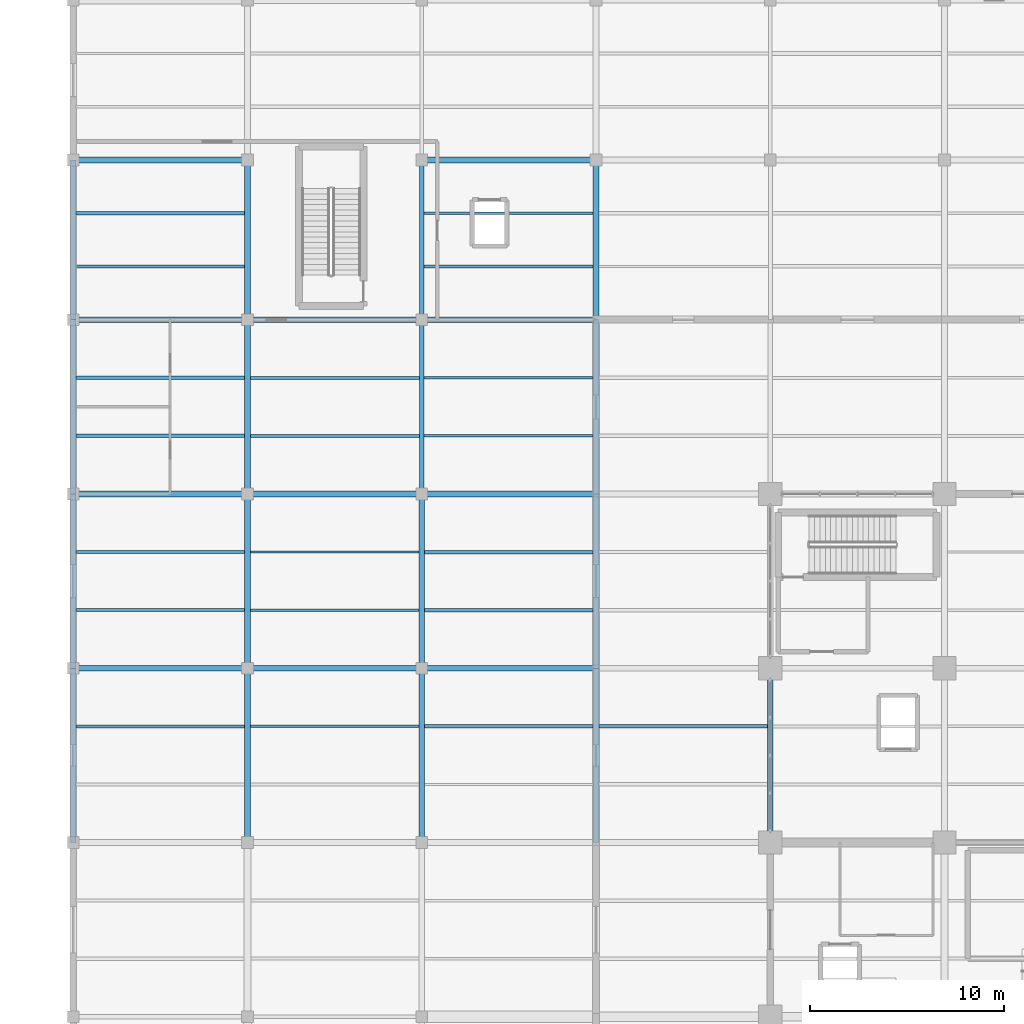
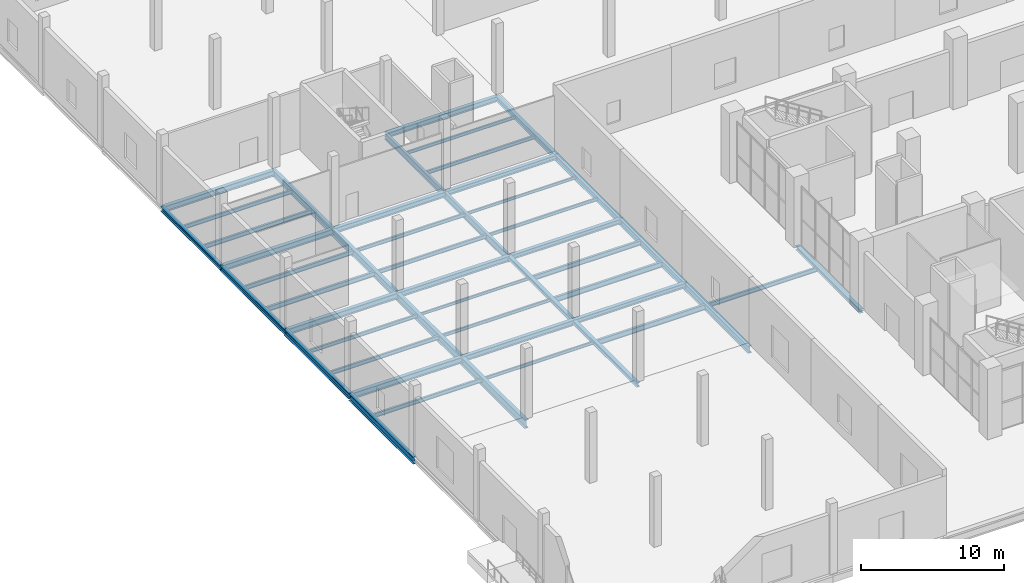
# One storey, part 54 of 144: 48 beams.
"""IFC4 building model written with IfcOpenShell, lengths in metres."""

from ifc_helpers import new_model, si_unit, direction, frame, origin, origin_2d, place, context, subcontext, project, spatial, i_section, extrude, material, material_profile, profile_set, type_object, element, save


model = new_model("IFC4")

# Units and contexts
model_context = context("Model", 3, precision=1e-05, world=origin(), true_north=direction((0.0, 1.0)))
body_context = subcontext(model_context, "Body", "Model", "MODEL_VIEW")
ifc_project = project(units=[si_unit("LENGTHUNIT", "METRE"), si_unit("AREAUNIT", "SQUARE_METRE"), si_unit("VOLUMEUNIT", "CUBIC_METRE"), si_unit("PLANEANGLEUNIT", "RADIAN"), si_unit("MASSUNIT", "GRAM", prefix="KILO")], contexts=[model_context])

# Site, building, storey
site_placement = place(None, origin())
site = spatial("IfcSite", under=ifc_project, at=site_placement, CompositionType="ELEMENT")
building_placement = place(site_placement, origin())
building = spatial("IfcBuilding", under=site, at=building_placement, Name="Sundgate Opera House", CompositionType="ELEMENT")
storey_placement = place(building_placement, origin())
storey = spatial("IfcBuildingStorey", under=building, at=storey_placement, Name="L00", CompositionType="ELEMENT", Elevation=0.0)

# Beams
ifc_material_1 = material(Name="Steel S355J2", Category="steel")
ifc_material_profile_1 = material_profile(ifc_material_1, i_section(OverallWidth=0.300048828125, OverallDepth=0.330078125, WebThickness=0.009521484375, FlangeThickness=0.0166015625, at=origin_2d()), Name="HEA 340")
ifc_profile_set_1 = profile_set([ifc_material_profile_1], Name="Steel S355J2")
beam_type_1 = type_object("IfcBeamType", Name="BM-GR-HEA340", PredefinedType="BEAM", material=ifc_profile_set_1)
beam_1_placement = place(storey_placement, frame((18.0, 69.0, -0.485107421875), z_axis=(0.0, 1.0, 0.0), x_axis=(-1.0, 0.0, 0.0)))
element("IfcBeam", 1, at=beam_1_placement, inside=storey, type_object=beam_type_1, Name="L00 Primary N-S Girder B0094", PredefinedType="BEAM", context=body_context, shape_type="SweptSolid", body=[
    extrude(i_section(OverallWidth=0.300048828125, OverallDepth=0.330078125, WebThickness=0.009521484375, FlangeThickness=0.0166015625, at=origin_2d()), origin(), (0.0, 0.0, 1.0), 9.0),
])
ifc_material_2 = material(Name="Steel S355J2", Category="steel")
ifc_material_profile_2 = material_profile(ifc_material_2, i_section(OverallWidth=0.300048828125, OverallDepth=0.35009765625, WebThickness=0.010009765625, FlangeThickness=0.017578125, at=origin_2d()), Name="HEA 360")
ifc_profile_set_2 = profile_set([ifc_material_profile_2], Name="Steel S355J2")
beam_type_2 = type_object("IfcBeamType", Name="BM-GR-HEA360", PredefinedType="BEAM", material=ifc_profile_set_2)
for number, where, z_axis, x_axis, name in (
    (2, (18.0, 60.0, -0.4951171875), (0.0, 1.0, 0.0), (-1.0, 0.0, 0.0), "L00 Primary N-S Girder B0093"),
    (3, (36.0, 60.0, -0.4951171875), (0.0, 1.0, 0.0), (-1.0, 0.0, 0.0), "L00 Primary N-S Girder B0115"),
):
    element("IfcBeam", number, at=place(storey_placement, frame(where, z_axis=z_axis, x_axis=x_axis)), inside=storey, type_object=beam_type_2, Name=name, PredefinedType="BEAM", context=body_context, shape_type="SweptSolid", body=[
        extrude(i_section(OverallWidth=0.300048828125, OverallDepth=0.35009765625, WebThickness=0.010009765625, FlangeThickness=0.017578125, at=origin_2d()), origin(), (0.0, 0.0, 1.0), 9.0),
    ])
ifc_material_3 = material(Name="Steel S355J2", Category="steel")
ifc_material_profile_3 = material_profile(ifc_material_3, i_section(OverallWidth=0.300048828125, OverallDepth=0.389892578125, WebThickness=0.010986328125, FlangeThickness=0.01904296875, at=origin_2d()), Name="HEA 400")
ifc_profile_set_3 = profile_set([ifc_material_profile_3], Name="Steel S355J2")
beam_type_3 = type_object("IfcBeamType", Name="BM-GR-HEA400", PredefinedType="BEAM", material=ifc_profile_set_3)
beam_2_placement = place(storey_placement, frame((0.0, 87.0, -0.514892578125), z_axis=(0.0, 1.0, 0.0), x_axis=(-1.0, 0.0, 0.0)))
element("IfcBeam", 4, at=beam_2_placement, inside=storey, type_object=beam_type_3, Name="L00 Primary N-S Girder B0070", PredefinedType="BEAM", context=body_context, shape_type="SweptSolid", body=[
    extrude(i_section(OverallWidth=0.300048828125, OverallDepth=0.389892578125, WebThickness=0.010986328125, FlangeThickness=0.01904296875, at=origin_2d()), origin(), (0.0, 0.0, 1.0), 8.25),
])
ifc_material_4 = material(Name="Steel S355J2", Category="steel")
ifc_material_profile_4 = material_profile(ifc_material_4, i_section(OverallWidth=0.300048828125, OverallDepth=0.43994140625, WebThickness=0.011474609375, FlangeThickness=0.02099609375, at=origin_2d()), Name="HEA 450")
ifc_profile_set_4 = profile_set([ifc_material_profile_4], Name="Steel S355J2")
beam_type_4 = type_object("IfcBeamType", Name="BM-GR-HEA450", PredefinedType="BEAM", material=ifc_profile_set_4)
beam_3_placement = place(storey_placement, frame((0.0, 78.0, -0.5400390625), z_axis=(0.0, 1.0, 0.0), x_axis=(-1.0, 0.0, 0.0)))
element("IfcBeam", 5, at=beam_3_placement, inside=storey, type_object=beam_type_4, Name="L00 Primary N-S Girder B0069", PredefinedType="BEAM", context=body_context, shape_type="SweptSolid", body=[
    extrude(i_section(OverallWidth=0.300048828125, OverallDepth=0.43994140625, WebThickness=0.011474609375, FlangeThickness=0.02099609375, at=origin_2d()), origin(), (0.0, 0.0, 1.0), 9.0),
])
ifc_material_5 = material(Name="Steel S355J2", Category="steel")
ifc_material_profile_5 = material_profile(ifc_material_5, i_section(OverallWidth=0.300048828125, OverallDepth=0.489990234375, WebThickness=0.011962890625, FlangeThickness=0.02294921875, at=origin_2d()), Name="HEA 500")
ifc_profile_set_5 = profile_set([ifc_material_profile_5], Name="Steel S355J2")
beam_type_5 = type_object("IfcBeamType", Name="BM-GR-HEA500", PredefinedType="BEAM", material=ifc_profile_set_5)
beam_4_placement = place(storey_placement, frame((0.0, 69.0, -0.56494140625), z_axis=(0.0, 1.0, 0.0), x_axis=(-1.0, 0.0, 0.0)))
element("IfcBeam", 6, at=beam_4_placement, inside=storey, type_object=beam_type_5, Name="L00 Primary N-S Girder B0068", PredefinedType="BEAM", context=body_context, shape_type="SweptSolid", body=[
    extrude(i_section(OverallWidth=0.300048828125, OverallDepth=0.489990234375, WebThickness=0.011962890625, FlangeThickness=0.02294921875, at=origin_2d()), origin(), (0.0, 0.0, 1.0), 9.0),
])
ifc_material_6 = material(Name="Steel S355J2", Category="steel")
ifc_material_profile_6 = material_profile(ifc_material_6, i_section(OverallWidth=0.300048828125, OverallDepth=0.590087890625, WebThickness=0.012939453125, FlangeThickness=0.02490234375, at=origin_2d()), Name="HEA 600")
ifc_profile_set_6 = profile_set([ifc_material_profile_6], Name="Steel S355J2")
beam_type_6 = type_object("IfcBeamType", Name="BM-GR-HEA600", PredefinedType="BEAM", material=ifc_profile_set_6)
beam_5_placement = place(storey_placement, frame((0.0, 60.0, -0.614990234375), z_axis=(0.0, 1.0, 0.0), x_axis=(-1.0, 0.0, 0.0)))
element("IfcBeam", 7, at=beam_5_placement, inside=storey, type_object=beam_type_6, Name="L00 Primary N-S Girder B0067", PredefinedType="BEAM", context=body_context, shape_type="SweptSolid", body=[
    extrude(i_section(OverallWidth=0.300048828125, OverallDepth=0.590087890625, WebThickness=0.012939453125, FlangeThickness=0.02490234375, at=origin_2d()), origin(), (0.0, 0.0, 1.0), 9.0),
])
ifc_material_7 = material(Name="Steel S355J2", Category="steel")
ifc_material_profile_7 = material_profile(ifc_material_7, i_section(OverallWidth=0.300048828125, OverallDepth=0.39990234375, WebThickness=0.013427734375, FlangeThickness=0.02392578125, at=origin_2d()), Name="HEB 400")
ifc_profile_set_7 = profile_set([ifc_material_profile_7], Name="Steel S355J2")
beam_type_7 = type_object("IfcBeamType", Name="BM-GR-HEB400", PredefinedType="BEAM", material=ifc_profile_set_7)
for number, where, z_axis, x_axis, name in (
    (8, (18.0, 69.0, -0.52001953125), (1.0, 0.0, 0.0), (0.0, 1.0, 0.0), "L00 Primary E-W Girder B0460"),
    (9, (18.0, 78.0, -0.52001953125), (1.0, 0.0, 0.0), (0.0, 1.0, 0.0), "L00 Primary E-W Girder B0482"),
    (10, (18.0, 87.0, -0.52001953125), (1.0, 0.0, 0.0), (0.0, 1.0, 0.0), "L00 Primary E-W Girder B0504"),
):
    element("IfcBeam", number, at=place(storey_placement, frame(where, z_axis=z_axis, x_axis=x_axis)), inside=storey, type_object=beam_type_7, Name=name, PredefinedType="BEAM", context=body_context, shape_type="SweptSolid", body=[
        extrude(i_section(OverallWidth=0.300048828125, OverallDepth=0.39990234375, WebThickness=0.013427734375, FlangeThickness=0.02392578125, at=origin_2d()), origin(), (0.0, 0.0, 1.0), 9.0),
    ])
ifc_material_8 = material(Name="Steel S355J2", Category="steel")
ifc_material_profile_8 = material_profile(ifc_material_8, i_section(OverallWidth=0.300048828125, OverallDepth=0.449951171875, WebThickness=0.013916015625, FlangeThickness=0.02587890625, at=origin_2d()), Name="HEB 450")
ifc_profile_set_8 = profile_set([ifc_material_profile_8], Name="Steel S355J2")
beam_type_8 = type_object("IfcBeamType", Name="BM-GR-HEB450", PredefinedType="BEAM", material=ifc_profile_set_8)
beam_6_placement = place(storey_placement, frame((27.0, 87.0, -0.544921875), z_axis=(0.0, 1.0, 0.0), x_axis=(-1.0, 0.0, 0.0)))
element("IfcBeam", 11, at=beam_6_placement, inside=storey, type_object=beam_type_8, Name="L00 Primary N-S Girder B0108", PredefinedType="BEAM", context=body_context, shape_type="SweptSolid", body=[
    extrude(i_section(OverallWidth=0.300048828125, OverallDepth=0.449951171875, WebThickness=0.013916015625, FlangeThickness=0.02587890625, at=origin_2d()), origin(), (0.0, 0.0, 1.0), 8.25),
])
for number, where, z_axis, x_axis, name in (
    (12, (9.0, 69.0, -0.544921875), (1.0, 0.0, 0.0), (0.0, 1.0, 0.0), "L00 Primary E-W Girder B0459"),
    (13, (9.0, 78.0, -0.544921875), (1.0, 0.0, 0.0), (0.0, 1.0, 0.0), "L00 Primary E-W Girder B0481"),
    (14, (9.0, 87.0, -0.544921875), (1.0, 0.0, 0.0), (0.0, 1.0, 0.0), "L00 Primary E-W Girder B0503"),
    (15, (18.0, 95.25, -0.544921875), (1.0, 0.0, 0.0), (0.0, 1.0, 0.0), "L00 Primary E-W Girder B0525"),
):
    element("IfcBeam", number, at=place(storey_placement, frame(where, z_axis=z_axis, x_axis=x_axis)), inside=storey, type_object=beam_type_8, Name=name, PredefinedType="BEAM", context=body_context, shape_type="SweptSolid", body=[
        extrude(i_section(OverallWidth=0.300048828125, OverallDepth=0.449951171875, WebThickness=0.013916015625, FlangeThickness=0.02587890625, at=origin_2d()), origin(), (0.0, 0.0, 1.0), 9.0),
    ])
ifc_material_9 = material(Name="Steel S355J2", Category="steel")
ifc_material_profile_9 = material_profile(ifc_material_9, i_section(OverallWidth=0.300048828125, OverallDepth=0.5, WebThickness=0.014404296875, FlangeThickness=0.028076171875, at=origin_2d()), Name="HEB 500")
ifc_profile_set_9 = profile_set([ifc_material_profile_9], Name="Steel S355J2")
beam_type_9 = type_object("IfcBeamType", Name="BM-GR-HEB500", PredefinedType="BEAM", material=ifc_profile_set_9)
for number, where, z_axis, x_axis, name in (
    (16, (27.0, 78.0, -0.570068359375), (0.0, 1.0, 0.0), (-1.0, 0.0, 0.0), "L00 Primary N-S Girder B0107"),
    (17, (0.0, 69.0, -0.570068359375), (1.0, 0.0, 0.0), (0.0, 1.0, 0.0), "L00 Primary E-W Girder B0458"),
    (18, (0.0, 78.0, -0.570068359375), (1.0, 0.0, 0.0), (0.0, 1.0, 0.0), "L00 Primary E-W Girder B0480"),
    (19, (0.0, 87.0, -0.570068359375), (1.0, 0.0, 0.0), (0.0, 1.0, 0.0), "L00 Primary E-W Girder B0502"),
    (20, (0.0, 95.25, -0.570068359375), (1.0, 0.0, 0.0), (0.0, 1.0, 0.0), "L00 Primary E-W Girder B0524"),
):
    element("IfcBeam", number, at=place(storey_placement, frame(where, z_axis=z_axis, x_axis=x_axis)), inside=storey, type_object=beam_type_9, Name=name, PredefinedType="BEAM", context=body_context, shape_type="SweptSolid", body=[
        extrude(i_section(OverallWidth=0.300048828125, OverallDepth=0.5, WebThickness=0.014404296875, FlangeThickness=0.028076171875, at=origin_2d()), origin(), (0.0, 0.0, 1.0), 9.0),
    ])
ifc_material_10 = material(Name="Steel S355J2", Category="steel")
ifc_material_profile_10 = material_profile(ifc_material_10, i_section(OverallWidth=0.300048828125, OverallDepth=0.550048828125, WebThickness=0.014892578125, FlangeThickness=0.029052734375, at=origin_2d()), Name="HEB 550")
ifc_profile_set_10 = profile_set([ifc_material_profile_10], Name="Steel S355J2")
beam_type_10 = type_object("IfcBeamType", Name="BM-GR-HEB550", PredefinedType="BEAM", material=ifc_profile_set_10)
beam_7_placement = place(storey_placement, frame((9.0, 87.0, -0.594970703125), z_axis=(0.0, 1.0, 0.0), x_axis=(-1.0, 0.0, 0.0)))
element("IfcBeam", 21, at=beam_7_placement, inside=storey, type_object=beam_type_10, Name="L00 Primary N-S Girder B0084", PredefinedType="BEAM", context=body_context, shape_type="SweptSolid", body=[
    extrude(i_section(OverallWidth=0.300048828125, OverallDepth=0.550048828125, WebThickness=0.014892578125, FlangeThickness=0.029052734375, at=origin_2d()), origin(), (0.0, 0.0, 1.0), 8.25),
])
beam_8_placement = place(storey_placement, frame((27.0, 69.0, -0.594970703125), z_axis=(0.0, 1.0, 0.0), x_axis=(-1.0, 0.0, 0.0)))
element("IfcBeam", 22, at=beam_8_placement, inside=storey, type_object=beam_type_10, Name="L00 Primary N-S Girder B0106", PredefinedType="BEAM", context=body_context, shape_type="SweptSolid", body=[
    extrude(i_section(OverallWidth=0.300048828125, OverallDepth=0.550048828125, WebThickness=0.014892578125, FlangeThickness=0.029052734375, at=origin_2d()), origin(), (0.0, 0.0, 1.0), 9.0),
])
ifc_material_11 = material(Name="Steel S355J2", Category="steel")
ifc_material_profile_11 = material_profile(ifc_material_11, i_section(OverallWidth=0.300048828125, OverallDepth=0.60009765625, WebThickness=0.015380859375, FlangeThickness=0.030029296875, at=origin_2d()), Name="HEB 600")
ifc_profile_set_11 = profile_set([ifc_material_profile_11], Name="Steel S355J2")
beam_type_11 = type_object("IfcBeamType", Name="BM-GR-HEB600", PredefinedType="BEAM", material=ifc_profile_set_11)
for number, where, z_axis, x_axis, name in (
    (23, (9.0, 78.0, -0.6201171875), (0.0, 1.0, 0.0), (-1.0, 0.0, 0.0), "L00 Primary N-S Girder B0083"),
    (24, (27.0, 60.0, -0.6201171875), (0.0, 1.0, 0.0), (-1.0, 0.0, 0.0), "L00 Primary N-S Girder B0105"),
):
    element("IfcBeam", number, at=place(storey_placement, frame(where, z_axis=z_axis, x_axis=x_axis)), inside=storey, type_object=beam_type_11, Name=name, PredefinedType="BEAM", context=body_context, shape_type="SweptSolid", body=[
        extrude(i_section(OverallWidth=0.300048828125, OverallDepth=0.60009765625, WebThickness=0.015380859375, FlangeThickness=0.030029296875, at=origin_2d()), origin(), (0.0, 0.0, 1.0), 9.0),
    ])
ifc_material_12 = material(Name="Steel S355J2", Category="steel")
ifc_material_profile_12 = material_profile(ifc_material_12, i_section(OverallWidth=0.300048828125, OverallDepth=0.64990234375, WebThickness=0.01611328125, FlangeThickness=0.031005859375, at=origin_2d()), Name="HEB 650")
ifc_profile_set_12 = profile_set([ifc_material_profile_12], Name="Steel S355J2")
beam_type_12 = type_object("IfcBeamType", Name="BM-GR-HEB650", PredefinedType="BEAM", material=ifc_profile_set_12)
beam_9_placement = place(storey_placement, frame((9.0, 69.0, -0.64501953125), z_axis=(0.0, 1.0, 0.0), x_axis=(-1.0, 0.0, 0.0)))
element("IfcBeam", 25, at=beam_9_placement, inside=storey, type_object=beam_type_12, Name="L00 Primary N-S Girder B0082", PredefinedType="BEAM", context=body_context, shape_type="SweptSolid", body=[
    extrude(i_section(OverallWidth=0.300048828125, OverallDepth=0.64990234375, WebThickness=0.01611328125, FlangeThickness=0.031005859375, at=origin_2d()), origin(), (0.0, 0.0, 1.0), 9.0),
])
ifc_material_13 = material(Name="Steel S355J2", Category="steel")
ifc_material_profile_13 = material_profile(ifc_material_13, i_section(OverallWidth=0.300048828125, OverallDepth=0.699951171875, WebThickness=0.01708984375, FlangeThickness=0.031982421875, at=origin_2d()), Name="HEB 700")
ifc_profile_set_13 = profile_set([ifc_material_profile_13], Name="Steel S355J2")
beam_type_13 = type_object("IfcBeamType", Name="BM-GR-HEB700", PredefinedType="BEAM", material=ifc_profile_set_13)
beam_10_placement = place(storey_placement, frame((9.0, 60.0, -0.669921875), z_axis=(0.0, 1.0, 0.0), x_axis=(-1.0, 0.0, 0.0)))
element("IfcBeam", 26, at=beam_10_placement, inside=storey, type_object=beam_type_13, Name="L00 Primary N-S Girder B0081", PredefinedType="BEAM", context=body_context, shape_type="SweptSolid", body=[
    extrude(i_section(OverallWidth=0.300048828125, OverallDepth=0.699951171875, WebThickness=0.01708984375, FlangeThickness=0.031982421875, at=origin_2d()), origin(), (0.0, 0.0, 1.0), 9.0),
])
ifc_material_14 = material(Name="Steel S355J2", Category="steel")
ifc_material_profile_14 = material_profile(ifc_material_14, i_section(OverallWidth=0.2099609375, OverallDepth=0.550048828125, WebThickness=0.010986328125, FlangeThickness=0.01708984375, at=origin_2d()), Name="IPE 550")
ifc_profile_set_14 = profile_set([ifc_material_profile_14], Name="Steel S355J2")
beam_type_14 = type_object("IfcBeamType", Name="BM-GR-IPE550", PredefinedType="BEAM", material=ifc_profile_set_14)
beam_11_placement = place(storey_placement, frame((18.0, 87.0, -0.594970703125), z_axis=(0.0, 1.0, 0.0), x_axis=(-1.0, 0.0, 0.0)))
element("IfcBeam", 27, at=beam_11_placement, inside=storey, type_object=beam_type_14, Name="L00 Primary N-S Girder B0096", PredefinedType="BEAM", context=body_context, shape_type="SweptSolid", body=[
    extrude(i_section(OverallWidth=0.2099609375, OverallDepth=0.550048828125, WebThickness=0.010986328125, FlangeThickness=0.01708984375, at=origin_2d()), origin(), (0.0, 0.0, 1.0), 8.25),
])
ifc_material_15 = material(Name="Steel S355J2", Category="steel")
ifc_material_profile_15 = material_profile(ifc_material_15, i_section(OverallWidth=0.219970703125, OverallDepth=0.60009765625, WebThickness=0.011962890625, FlangeThickness=0.01904296875, at=origin_2d()), Name="IPE 600")
ifc_profile_set_15 = profile_set([ifc_material_profile_15], Name="Steel S355J2")
beam_type_15 = type_object("IfcBeamType", Name="BM-GR-IPE600", PredefinedType="BEAM", material=ifc_profile_set_15)
beam_12_placement = place(storey_placement, frame((18.0, 78.0, -0.6201171875), z_axis=(0.0, 1.0, 0.0), x_axis=(-1.0, 0.0, 0.0)))
element("IfcBeam", 28, at=beam_12_placement, inside=storey, type_object=beam_type_15, Name="L00 Primary N-S Girder B0095", PredefinedType="BEAM", context=body_context, shape_type="SweptSolid", body=[
    extrude(i_section(OverallWidth=0.219970703125, OverallDepth=0.60009765625, WebThickness=0.011962890625, FlangeThickness=0.01904296875, at=origin_2d()), origin(), (0.0, 0.0, 1.0), 9.0),
])
ifc_material_16 = material(Name="Steel S355J2", Category="steel")
ifc_material_profile_16 = material_profile(ifc_material_16, i_section(OverallWidth=0.1201171875, OverallDepth=0.239990234375, WebThickness=0.006103515625, FlangeThickness=0.009765625, at=origin_2d()), Name="IPE 240")
ifc_profile_set_16 = profile_set([ifc_material_profile_16], Name="Steel S355J2")
beam_type_16 = type_object("IfcBeamType", Name="BM-JS-IPE240", PredefinedType="JOIST", material=ifc_profile_set_16)
beam_13_placement = place(storey_placement, frame((9.14990234375, 75.0, -0.43994140625), z_axis=(1.0, 0.0, 0.0), x_axis=(0.0, 1.0, 0.0)))
element("IfcBeam", 29, at=beam_13_placement, inside=storey, type_object=beam_type_16, Name="L00 Secondary Floor Joist B0839", PredefinedType="JOIST", context=body_context, shape_type="SweptSolid", body=[
    extrude(i_section(OverallWidth=0.1201171875, OverallDepth=0.239990234375, WebThickness=0.006103515625, FlangeThickness=0.009765625, at=origin_2d()), origin(), (0.0, 0.0, 1.0), 8.7001953125),
])
beam_14_placement = place(storey_placement, frame((18.110107421875, 84.0, -0.43994140625), z_axis=(1.0, 0.0, 0.0), x_axis=(0.0, 1.0, 0.0)))
element("IfcBeam", 30, at=beam_14_placement, inside=storey, type_object=beam_type_16, Name="L00 Secondary Floor Joist B0881", PredefinedType="JOIST", context=body_context, shape_type="SweptSolid", body=[
    extrude(i_section(OverallWidth=0.1201171875, OverallDepth=0.239990234375, WebThickness=0.006103515625, FlangeThickness=0.009765625, at=origin_2d()), origin(), (0.0, 0.0, 1.0), 8.739990234375),
])
ifc_material_17 = material(Name="Steel S355J2", Category="steel")
ifc_material_profile_17 = material_profile(ifc_material_17, i_section(OverallWidth=0.135009765625, OverallDepth=0.27001953125, WebThickness=0.006591796875, FlangeThickness=0.01025390625, at=origin_2d()), Name="IPE 270")
ifc_profile_set_17 = profile_set([ifc_material_profile_17], Name="Steel S355J2")
beam_type_17 = type_object("IfcBeamType", Name="BM-JS-IPE270", PredefinedType="JOIST", material=ifc_profile_set_17)
for number, where, z_axis, x_axis, name in (
    (31, (9.14990234375, 66.0, -0.455078125), (1.0, 0.0, 0.0), (0.0, 1.0, 0.0), "L00 Secondary Floor Joist B0803"),
    (32, (9.14990234375, 72.0, -0.455078125), (1.0, 0.0, 0.0), (0.0, 1.0, 0.0), "L00 Secondary Floor Joist B0838"),
):
    element("IfcBeam", number, at=place(storey_placement, frame(where, z_axis=z_axis, x_axis=x_axis)), inside=storey, type_object=beam_type_17, Name=name, PredefinedType="JOIST", context=body_context, shape_type="SweptSolid", body=[
        extrude(i_section(OverallWidth=0.135009765625, OverallDepth=0.27001953125, WebThickness=0.006591796875, FlangeThickness=0.01025390625, at=origin_2d()), origin(), (0.0, 0.0, 1.0), 8.7001953125),
    ])
beam_15_placement = place(storey_placement, frame((18.110107421875, 81.0, -0.455078125), z_axis=(1.0, 0.0, 0.0), x_axis=(0.0, 1.0, 0.0)))
element("IfcBeam", 33, at=beam_15_placement, inside=storey, type_object=beam_type_17, Name="L00 Secondary Floor Joist B0880", PredefinedType="JOIST", context=body_context, shape_type="SweptSolid", body=[
    extrude(i_section(OverallWidth=0.135009765625, OverallDepth=0.27001953125, WebThickness=0.006591796875, FlangeThickness=0.01025390625, at=origin_2d()), origin(), (0.0, 0.0, 1.0), 8.739990234375),
])
beam_16_placement = place(storey_placement, frame((18.10498046875, 92.5, -0.455078125), z_axis=(1.0, 0.0, 0.0), x_axis=(0.0, 1.0, 0.0)))
element("IfcBeam", 34, at=beam_16_placement, inside=storey, type_object=beam_type_17, Name="L00 Secondary Floor Joist B0922", PredefinedType="JOIST", context=body_context, shape_type="SweptSolid", body=[
    extrude(i_section(OverallWidth=0.135009765625, OverallDepth=0.27001953125, WebThickness=0.006591796875, FlangeThickness=0.01025390625, at=origin_2d()), origin(), (0.0, 0.0, 1.0), 8.7451171875),
])
ifc_material_18 = material(Name="Steel S355J2", Category="steel")
ifc_material_profile_18 = material_profile(ifc_material_18, i_section(OverallWidth=0.14990234375, OverallDepth=0.300048828125, WebThickness=0.007080078125, FlangeThickness=0.0107421875, at=origin_2d()), Name="IPE 300")
ifc_profile_set_18 = profile_set([ifc_material_profile_18], Name="Steel S355J2")
beam_type_18 = type_object("IfcBeamType", Name="BM-JS-IPE300", PredefinedType="JOIST", material=ifc_profile_set_18)
beam_17_placement = place(storey_placement, frame((0.14990234375, 75.0, -0.469970703125), z_axis=(1.0, 0.0, 0.0), x_axis=(0.0, 1.0, 0.0)))
element("IfcBeam", 35, at=beam_17_placement, inside=storey, type_object=beam_type_18, Name="L00 Secondary Floor Joist B0837", PredefinedType="JOIST", context=body_context, shape_type="SweptSolid", body=[
    extrude(i_section(OverallWidth=0.14990234375, OverallDepth=0.300048828125, WebThickness=0.007080078125, FlangeThickness=0.0107421875, at=origin_2d()), origin(), (0.0, 0.0, 1.0), 8.7001953125),
])
beam_18_placement = place(storey_placement, frame((9.14990234375, 84.0, -0.469970703125), z_axis=(1.0, 0.0, 0.0), x_axis=(0.0, 1.0, 0.0)))
element("IfcBeam", 36, at=beam_18_placement, inside=storey, type_object=beam_type_18, Name="L00 Secondary Floor Joist B0879", PredefinedType="JOIST", context=body_context, shape_type="SweptSolid", body=[
    extrude(i_section(OverallWidth=0.14990234375, OverallDepth=0.300048828125, WebThickness=0.007080078125, FlangeThickness=0.0107421875, at=origin_2d()), origin(), (0.0, 0.0, 1.0), 8.739990234375),
])
beam_19_placement = place(storey_placement, frame((18.10498046875, 89.75, -0.469970703125), z_axis=(1.0, 0.0, 0.0), x_axis=(0.0, 1.0, 0.0)))
element("IfcBeam", 37, at=beam_19_placement, inside=storey, type_object=beam_type_18, Name="L00 Secondary Floor Joist B0921", PredefinedType="JOIST", context=body_context, shape_type="SweptSolid", body=[
    extrude(i_section(OverallWidth=0.14990234375, OverallDepth=0.300048828125, WebThickness=0.007080078125, FlangeThickness=0.0107421875, at=origin_2d()), origin(), (0.0, 0.0, 1.0), 8.7451171875),
])
ifc_material_19 = material(Name="Steel S355J2", Category="steel")
ifc_material_profile_19 = material_profile(ifc_material_19, i_section(OverallWidth=0.159912109375, OverallDepth=0.330078125, WebThickness=0.007568359375, FlangeThickness=0.011474609375, at=origin_2d()), Name="IPE 330")
ifc_profile_set_19 = profile_set([ifc_material_profile_19], Name="Steel S355J2")
beam_type_19 = type_object("IfcBeamType", Name="BM-JS-IPE330", PredefinedType="JOIST", material=ifc_profile_set_19)
for number, where, z_axis, x_axis, name in (
    (38, (0.14990234375, 66.0, -0.485107421875), (1.0, 0.0, 0.0), (0.0, 1.0, 0.0), "L00 Secondary Floor Joist B0801"),
    (39, (0.14990234375, 72.0, -0.485107421875), (1.0, 0.0, 0.0), (0.0, 1.0, 0.0), "L00 Secondary Floor Joist B0836"),
):
    element("IfcBeam", number, at=place(storey_placement, frame(where, z_axis=z_axis, x_axis=x_axis)), inside=storey, type_object=beam_type_19, Name=name, PredefinedType="JOIST", context=body_context, shape_type="SweptSolid", body=[
        extrude(i_section(OverallWidth=0.159912109375, OverallDepth=0.330078125, WebThickness=0.007568359375, FlangeThickness=0.011474609375, at=origin_2d()), origin(), (0.0, 0.0, 1.0), 8.7001953125),
    ])
beam_20_placement = place(storey_placement, frame((9.14990234375, 81.0, -0.485107421875), z_axis=(1.0, 0.0, 0.0), x_axis=(0.0, 1.0, 0.0)))
element("IfcBeam", 40, at=beam_20_placement, inside=storey, type_object=beam_type_19, Name="L00 Secondary Floor Joist B0878", PredefinedType="JOIST", context=body_context, shape_type="SweptSolid", body=[
    extrude(i_section(OverallWidth=0.159912109375, OverallDepth=0.330078125, WebThickness=0.007568359375, FlangeThickness=0.011474609375, at=origin_2d()), origin(), (0.0, 0.0, 1.0), 8.739990234375),
])
beam_21_placement = place(storey_placement, frame((0.14990234375, 92.5, -0.485107421875), z_axis=(1.0, 0.0, 0.0), x_axis=(0.0, 1.0, 0.0)))
element("IfcBeam", 41, at=beam_21_placement, inside=storey, type_object=beam_type_19, Name="L00 Secondary Floor Joist B0920", PredefinedType="JOIST", context=body_context, shape_type="SweptSolid", body=[
    extrude(i_section(OverallWidth=0.159912109375, OverallDepth=0.330078125, WebThickness=0.007568359375, FlangeThickness=0.011474609375, at=origin_2d()), origin(), (0.0, 0.0, 1.0), 8.7001953125),
])
ifc_material_20 = material(Name="Steel S355J2", Category="steel")
ifc_material_profile_20 = material_profile(ifc_material_20, i_section(OverallWidth=0.169921875, OverallDepth=0.360107421875, WebThickness=0.008056640625, FlangeThickness=0.0126953125, at=origin_2d()), Name="IPE 360")
ifc_profile_set_20 = profile_set([ifc_material_profile_20], Name="Steel S355J2")
beam_type_20 = type_object("IfcBeamType", Name="BM-JS-IPE360", PredefinedType="JOIST", material=ifc_profile_set_20)
for number, where, z_axis, x_axis, name in (
    (42, (27.14990234375, 66.0, -0.5), (1.0, 0.0, 0.0), (0.0, 1.0, 0.0), "L00 Secondary Floor Joist B0807"),
    (43, (0.14990234375, 84.0, -0.5), (1.0, 0.0, 0.0), (0.0, 1.0, 0.0), "L00 Secondary Floor Joist B0877"),
    (44, (0.14990234375, 89.75, -0.5), (1.0, 0.0, 0.0), (0.0, 1.0, 0.0), "L00 Secondary Floor Joist B0919"),
):
    element("IfcBeam", number, at=place(storey_placement, frame(where, z_axis=z_axis, x_axis=x_axis)), inside=storey, type_object=beam_type_20, Name=name, PredefinedType="JOIST", context=body_context, shape_type="SweptSolid", body=[
        extrude(i_section(OverallWidth=0.169921875, OverallDepth=0.360107421875, WebThickness=0.008056640625, FlangeThickness=0.0126953125, at=origin_2d()), origin(), (0.0, 0.0, 1.0), 8.7001953125),
    ])
ifc_material_21 = material(Name="Steel S355J2", Category="steel")
ifc_material_profile_21 = material_profile(ifc_material_21, i_section(OverallWidth=0.179931640625, OverallDepth=0.39990234375, WebThickness=0.008544921875, FlangeThickness=0.013427734375, at=origin_2d()), Name="IPE 400")
ifc_profile_set_21 = profile_set([ifc_material_profile_21], Name="Steel S355J2")
beam_type_21 = type_object("IfcBeamType", Name="BM-JS-IPE400", PredefinedType="JOIST", material=ifc_profile_set_21)
for number, where, z_axis, x_axis, name in (
    (45, (18.14990234375, 75.0, -0.52001953125), (1.0, 0.0, 0.0), (0.0, 1.0, 0.0), "L00 Secondary Floor Joist B0841"),
    (46, (0.14990234375, 81.0, -0.52001953125), (1.0, 0.0, 0.0), (0.0, 1.0, 0.0), "L00 Secondary Floor Joist B0876"),
):
    element("IfcBeam", number, at=place(storey_placement, frame(where, z_axis=z_axis, x_axis=x_axis)), inside=storey, type_object=beam_type_21, Name=name, PredefinedType="JOIST", context=body_context, shape_type="SweptSolid", body=[
        extrude(i_section(OverallWidth=0.179931640625, OverallDepth=0.39990234375, WebThickness=0.008544921875, FlangeThickness=0.013427734375, at=origin_2d()), origin(), (0.0, 0.0, 1.0), 8.7001953125),
    ])
ifc_material_22 = material(Name="Steel S355J2", Category="steel")
ifc_material_profile_22 = material_profile(ifc_material_22, i_section(OverallWidth=0.18994140625, OverallDepth=0.449951171875, WebThickness=0.009521484375, FlangeThickness=0.0146484375, at=origin_2d()), Name="IPE 450")
ifc_profile_set_22 = profile_set([ifc_material_profile_22], Name="Steel S355J2")
beam_type_22 = type_object("IfcBeamType", Name="BM-JS-IPE450", PredefinedType="JOIST", material=ifc_profile_set_22)
for number, where, z_axis, x_axis, name in (
    (47, (18.14990234375, 66.0, -0.544921875), (1.0, 0.0, 0.0), (0.0, 1.0, 0.0), "L00 Secondary Floor Joist B0805"),
    (48, (18.14990234375, 72.0, -0.544921875), (1.0, 0.0, 0.0), (0.0, 1.0, 0.0), "L00 Secondary Floor Joist B0840"),
):
    element("IfcBeam", number, at=place(storey_placement, frame(where, z_axis=z_axis, x_axis=x_axis)), inside=storey, type_object=beam_type_22, Name=name, PredefinedType="JOIST", context=body_context, shape_type="SweptSolid", body=[
        extrude(i_section(OverallWidth=0.18994140625, OverallDepth=0.449951171875, WebThickness=0.009521484375, FlangeThickness=0.0146484375, at=origin_2d()), origin(), (0.0, 0.0, 1.0), 8.7001953125),
    ])

save(model, "model.ifc")
